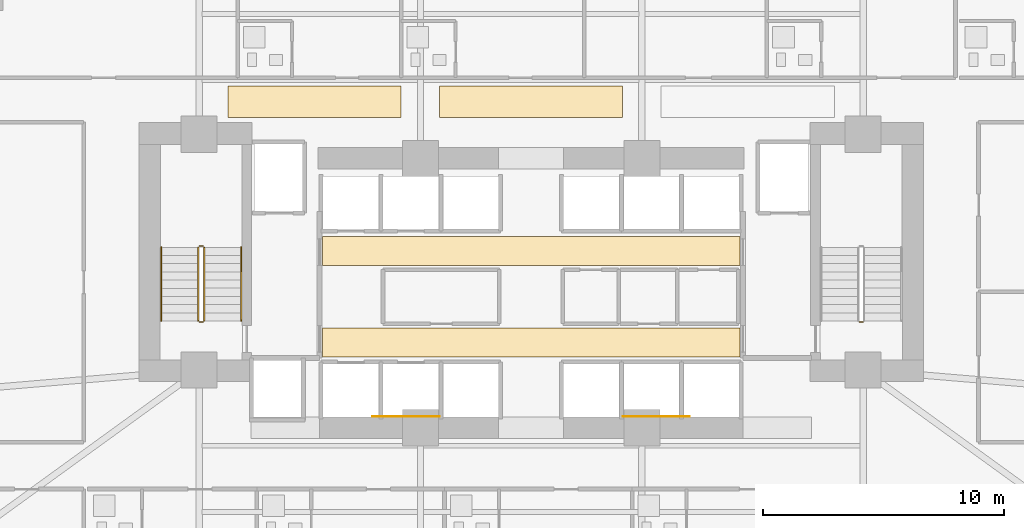
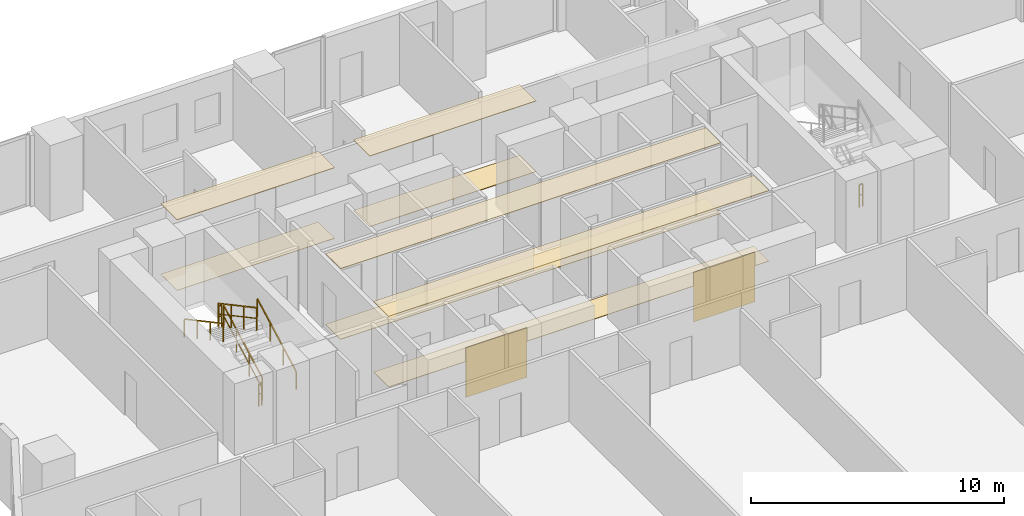
# One storey, part 25 of 28: 10 coverings, 7 railings.
"""IFC4 building model written with IfcOpenShell, lengths in metres."""

from ifc_helpers import new_model, si_unit, direction, frame, origin, origin_2d, place, context, subcontext, project, spatial, polyline, rectangle, outline, extrude, material, layer, layer_set, type_object, element, save


model = new_model("IFC4")

# Units and contexts
model_context = context("Model", 3, precision=1e-05, world=origin(), true_north=direction((0.0, 1.0)))
body_context = subcontext(model_context, "Body", "Model", "MODEL_VIEW")
ifc_project = project(units=[si_unit("LENGTHUNIT", "METRE"), si_unit("AREAUNIT", "SQUARE_METRE"), si_unit("VOLUMEUNIT", "CUBIC_METRE"), si_unit("PLANEANGLEUNIT", "RADIAN"), si_unit("MASSUNIT", "GRAM", prefix="KILO")], contexts=[model_context])

# Site, building, storey
site_placement = place(None, origin())
site = spatial("IfcSite", under=ifc_project, at=site_placement, CompositionType="ELEMENT")
building_placement = place(site_placement, origin())
building = spatial("IfcBuilding", under=site, at=building_placement, Name="Zuhayl Quay Hotel", CompositionType="ELEMENT")
storey_placement = place(building_placement, frame((0.0, 0.0, 53.14990234375)))
storey = spatial("IfcBuildingStorey", under=building, at=storey_placement, Name="L12", CompositionType="ELEMENT", Elevation=53.14990234375)

# Coverings
ifc_material_1 = material(Name="Acoustic Mineral-Fibre Gypsum Board")
ifc_layer_1 = layer(ifc_material_1, 0.02490234375, Name="Acoustic Mineral-Fibre Gypsum Board")
ifc_layer_set_1 = layer_set([ifc_layer_1], Name="Acoustic Mineral-Fibre Gypsum Board")
covering_type_1 = type_object("IfcCoveringType", Name="CV_CEIL_ACOUSTIC", PredefinedType="CEILING", material=ifc_layer_set_1)
covering_1_placement = place(storey_placement, frame((0.0, 0.0, 3.405029296875)))
element("IfcCovering", 1, at=covering_1_placement, inside=storey, type_object=covering_type_1, Name="L12 Suspended Acoustic Lobby Ceiling S", PredefinedType="CEILING", context=body_context, shape_type="SweptSolid", body=[
    extrude(outline(polyline([(-8.679931640625, 5.10009765625), (8.679931640625, 5.10009765625), (8.679931640625, 6.300048828125), (-8.679931640625, 6.300048828125), (-8.679931640625, 5.10009765625)])), origin(), (0.0, 0.0, 1.0), 0.025146484375),
])
covering_2_placement = place(storey_placement, frame((0.0, 0.0, 3.405029296875)))
element("IfcCovering", 2, at=covering_2_placement, inside=storey, type_object=covering_type_1, Name="L12 Suspended Acoustic Lobby Ceiling N", PredefinedType="CEILING", context=body_context, shape_type="SweptSolid", body=[
    extrude(outline(polyline([(-8.679931640625, 8.89990234375), (8.679931640625, 8.89990234375), (8.679931640625, 10.10009765625), (-8.679931640625, 10.10009765625), (-8.679931640625, 8.89990234375)])), origin(), (0.0, 0.0, 1.0), 0.025146484375),
])
covering_3_placement = place(storey_placement, frame((0.0, 0.0, 3.405029296875)))
element("IfcCovering", 3, at=covering_3_placement, inside=storey, type_object=covering_type_1, Name="L12 Guest Corridor Acoustic Ceiling CW", PredefinedType="CEILING", context=body_context, shape_type="SweptSolid", body=[
    extrude(outline(polyline([(-12.60009765625, 15.050048828125), (-5.39990234375, 15.050048828125), (-5.39990234375, 16.35009765625), (-12.60009765625, 16.35009765625), (-12.60009765625, 15.050048828125)])), origin(), (0.0, 0.0, 1.0), 0.025146484375),
])
covering_4_placement = place(storey_placement, frame((0.0, 0.0, 3.405029296875)))
element("IfcCovering", 4, at=covering_4_placement, inside=storey, type_object=covering_type_1, Name="L12 Guest Corridor Acoustic Ceiling CC", PredefinedType="CEILING", context=body_context, shape_type="SweptSolid", body=[
    extrude(outline(polyline([(-3.800048828125, 15.050048828125), (3.800048828125, 15.050048828125), (3.800048828125, 16.35009765625), (-3.800048828125, 16.35009765625), (-3.800048828125, 15.050048828125)])), origin(), (0.0, 0.0, 1.0), 0.025146484375),
])
ifc_material_2 = material(Name="Polished Limestone Terrazzo", Category="masonry")
ifc_layer_2 = layer(ifc_material_2, 0.02001953125, Name="Polished Limestone Terrazzo", Category="masonry")
ifc_layer_set_2 = layer_set([ifc_layer_2], Name="Polished Limestone Terrazzo")
covering_type_2 = type_object("IfcCoveringType", Name="CV_FLOOR_TERRAZZO", PredefinedType="FLOORING", material=ifc_layer_set_2)
covering_5_placement = place(storey_placement, origin())
element("IfcCovering", 5, at=covering_5_placement, inside=storey, type_object=covering_type_2, Name="L12 Honed Limestone Terrazzo Lobby Flooring S", PredefinedType="FLOORING", context=body_context, shape_type="SweptSolid", body=[
    extrude(outline(polyline([(-8.679931640625, 5.10009765625), (8.679931640625, 5.10009765625), (8.679931640625, 6.300048828125), (-8.679931640625, 6.300048828125), (-8.679931640625, 5.10009765625)])), origin(), (0.0, 0.0, 1.0), 0.02001953125),
])
covering_6_placement = place(storey_placement, origin())
element("IfcCovering", 6, at=covering_6_placement, inside=storey, type_object=covering_type_2, Name="L12 Honed Limestone Terrazzo Lobby Flooring N", PredefinedType="FLOORING", context=body_context, shape_type="SweptSolid", body=[
    extrude(outline(polyline([(-8.679931640625, 8.89990234375), (8.679931640625, 8.89990234375), (8.679931640625, 10.10009765625), (-8.679931640625, 10.10009765625), (-8.679931640625, 8.89990234375)])), origin(), (0.0, 0.0, 1.0), 0.02001953125),
])
covering_7_placement = place(storey_placement, origin())
element("IfcCovering", 7, at=covering_7_placement, inside=storey, type_object=covering_type_2, Name="L12 Guest Corridor Terrazzo Runner CW", PredefinedType="FLOORING", context=body_context, shape_type="SweptSolid", body=[
    extrude(outline(polyline([(-12.60009765625, 15.050048828125), (-5.39990234375, 15.050048828125), (-5.39990234375, 16.35009765625), (-12.60009765625, 16.35009765625), (-12.60009765625, 15.050048828125)])), origin(), (0.0, 0.0, 1.0), 0.02001953125),
])
covering_8_placement = place(storey_placement, origin())
element("IfcCovering", 8, at=covering_8_placement, inside=storey, type_object=covering_type_2, Name="L12 Guest Corridor Terrazzo Runner CC", PredefinedType="FLOORING", context=body_context, shape_type="SweptSolid", body=[
    extrude(outline(polyline([(-3.800048828125, 15.050048828125), (3.800048828125, 15.050048828125), (3.800048828125, 16.35009765625), (-3.800048828125, 16.35009765625), (-3.800048828125, 15.050048828125)])), origin(), (0.0, 0.0, 1.0), 0.02001953125),
])
ifc_material_3 = material(Name="Acoustic Walnut Feature Timber", Category="wood")
ifc_layer_3 = layer(ifc_material_3, 0.02197265625, Name="Acoustic Walnut Feature Timber", Category="wood")
ifc_layer_set_3 = layer_set([ifc_layer_3], Name="Acoustic Walnut Feature Timber")
covering_type_3 = type_object("IfcCoveringType", Name="CV_WALL_CLAD", PredefinedType="CLADDING", material=ifc_layer_set_3)
for number, where, z_axis, x_axis, name in (
    (9, (-5.199951171875, 2.611083984375, 0.300048828125), (0.0, 0.0, 1.0), (1.0, 0.0, 0.0), "L12 Feature Lobby Walnut Wall Cladding W"),
    (10, (5.199951171875, 2.611083984375, 0.300048828125), (0.0, 0.0, 1.0), (1.0, 0.0, 0.0), "L12 Feature Lobby Walnut Wall Cladding E"),
):
    element("IfcCovering", number, at=place(storey_placement, frame(where, z_axis=z_axis, x_axis=x_axis)), inside=storey, type_object=covering_type_3, Name=name, PredefinedType="CLADDING", context=body_context, shape_type="SweptSolid", body=[
        extrude(rectangle(XDim=2.800048828125, YDim=0.02197265625, at=origin_2d()), origin(), (0.0, 0.0, 1.0), 2.39990234375),
    ])

# Railings
ifc_material_4 = material(Name="Steel ASTM A992 Grade 50", Category="steel")
railing_type_1 = type_object("IfcRailingType", Name="RL_GUARD_1100", PredefinedType="GUARDRAIL", material=ifc_material_4)
railing_1_placement = place(storey_placement, frame((-13.590087890625, 6.590087890625, 0.1826171875)))
element("IfcRailing", 11, at=railing_1_placement, inside=storey, type_object=railing_type_1, Name="L12 ST1 stair guard 1", PredefinedType="GUARDRAIL", context=body_context, shape_type="SweptSolid", body=[
    extrude(rectangle(XDim=0.048095703125, YDim=0.048095703125, at=origin_2d()), frame((0.0, 0.0, 1.09619140625), z_axis=(0.0, 0.88107310026, 0.472980117973), x_axis=(-1.0, 0.0, 0.0)), (0.0, 0.0, 1.0), 3.472900390625),
    extrude(rectangle(XDim=0.0361328125, YDim=0.0361328125, at=origin_2d()), frame((0.0, 0.0, 0.58251953125), z_axis=(0.0, 0.88107310026, 0.472980117973), x_axis=(-1.0, 0.0, 0.0)), (0.0, 0.0, 1.0), 3.472900390625),
    extrude(rectangle(XDim=0.0419921875, YDim=0.0419921875, at=origin_2d()), origin(), (0.0, 0.0, 1.0), 1.072021484375),
    extrude(rectangle(XDim=0.0419921875, YDim=0.0419921875, at=origin_2d()), frame((0.0, 1.02001953125, 0.547607421875)), (0.0, 0.0, 1.0), 1.072021484375),
    extrude(rectangle(XDim=0.0419921875, YDim=0.0419921875, at=origin_2d()), frame((0.0, 2.039794921875, 1.094970703125)), (0.0, 0.0, 1.0), 1.072021484375),
    extrude(rectangle(XDim=0.0419921875, YDim=0.0419921875, at=origin_2d()), frame((0.0, 3.059814453125, 1.642578125)), (0.0, 0.0, 1.0), 1.072021484375),
])
railing_2_placement = place(storey_placement, frame((-13.639892578125, 9.699951171875, 1.8251953125)))
element("IfcRailing", 12, at=railing_2_placement, inside=storey, type_object=railing_type_1, Name="L12 ST1 stair guard 2", PredefinedType="GUARDRAIL", context=body_context, shape_type="SweptSolid", body=[
    extrude(rectangle(XDim=0.048095703125, YDim=0.048095703125, at=origin_2d()), frame((0.0, 0.0, 1.09619140625), z_axis=(-1.0, 0.0, 0.0), x_axis=(0.0, -1.0, 0.0)), (0.0, 0.0, 1.0), 0.150146484375),
    extrude(rectangle(XDim=0.0361328125, YDim=0.0361328125, at=origin_2d()), frame((0.0, 0.0, 0.58251953125), z_axis=(-1.0, 0.0, 0.0), x_axis=(0.0, -1.0, 0.0)), (0.0, 0.0, 1.0), 0.150146484375),
    extrude(rectangle(XDim=0.0419921875, YDim=0.0419921875, at=origin_2d()), origin(), (0.0, 0.0, 1.0), 1.072021484375),
    extrude(rectangle(XDim=0.0419921875, YDim=0.0419921875, at=origin_2d()), frame((-0.150146484375, 0.0, 0.0)), (0.0, 0.0, 1.0), 1.072021484375),
])
railing_3_placement = place(storey_placement, frame((-13.840087890625, 9.64990234375, 2.007568359375)))
element("IfcRailing", 13, at=railing_3_placement, inside=storey, type_object=railing_type_1, Name="L12 ST1 stair guard 3", PredefinedType="GUARDRAIL", context=body_context, shape_type="SweptSolid", body=[
    extrude(rectangle(XDim=0.048095703125, YDim=0.048095703125, at=origin_2d()), frame((0.0, 0.0, 1.09619140625), z_axis=(0.0, -0.88107310026, 0.472980117973), x_axis=(1.0, 0.0, 0.0)), (0.0, 0.0, 1.0), 3.472900390625),
    extrude(rectangle(XDim=0.0361328125, YDim=0.0361328125, at=origin_2d()), frame((0.0, 0.0, 0.58251953125), z_axis=(0.0, -0.88107310026, 0.472980117973), x_axis=(1.0, 0.0, 0.0)), (0.0, 0.0, 1.0), 3.472900390625),
    extrude(rectangle(XDim=0.0419921875, YDim=0.0419921875, at=origin_2d()), origin(), (0.0, 0.0, 1.0), 1.072021484375),
    extrude(rectangle(XDim=0.0419921875, YDim=0.0419921875, at=origin_2d()), frame((0.0, -1.02001953125, 0.547607421875)), (0.0, 0.0, 1.0), 1.072021484375),
    extrude(rectangle(XDim=0.0419921875, YDim=0.0419921875, at=origin_2d()), frame((0.0, -2.039794921875, 1.094970703125)), (0.0, 0.0, 1.0), 1.072021484375),
    extrude(rectangle(XDim=0.0419921875, YDim=0.0419921875, at=origin_2d()), frame((0.0, -3.059814453125, 1.642578125)), (0.0, 0.0, 1.0), 1.072021484375),
])
for number, where, name in (
    (14, (-13.639892578125, 6.5400390625, 0.0), "L12 ST1 stair guard 4"),
    (15, (13.7900390625, 6.5400390625, 0.0), "L12 ST2 stair guard 4"),
):
    element("IfcRailing", number, at=place(storey_placement, frame(where)), inside=storey, type_object=railing_type_1, Name=name, PredefinedType="GUARDRAIL", context=body_context, shape_type="SweptSolid", body=[
        extrude(rectangle(XDim=0.048095703125, YDim=0.048095703125, at=origin_2d()), frame((0.0, 0.0, 1.09619140625), z_axis=(-1.0, 0.0, 0.0), x_axis=(0.0, -1.0, 0.0)), (0.0, 0.0, 1.0), 0.150146484375),
        extrude(rectangle(XDim=0.0361328125, YDim=0.0361328125, at=origin_2d()), frame((0.0, 0.0, 0.58251953125), z_axis=(-1.0, 0.0, 0.0), x_axis=(0.0, -1.0, 0.0)), (0.0, 0.0, 1.0), 0.150146484375),
        extrude(rectangle(XDim=0.0419921875, YDim=0.0419921875, at=origin_2d()), origin(), (0.0, 0.0, 1.0), 1.072021484375),
        extrude(rectangle(XDim=0.0419921875, YDim=0.0419921875, at=origin_2d()), frame((-0.150146484375, 0.0, 0.0)), (0.0, 0.0, 1.0), 1.072021484375),
    ])
railing_type_2 = type_object("IfcRailingType", Name="RL_HANDRAIL_920", PredefinedType="HANDRAIL", material=ifc_material_4)
railing_4_placement = place(storey_placement, frame((-12.050048828125, 6.590087890625, 0.1826171875)))
element("IfcRailing", 16, at=railing_4_placement, inside=storey, type_object=railing_type_2, Name="L12 ST1 stair handrail 1", PredefinedType="HANDRAIL", context=body_context, shape_type="SweptSolid", body=[
    extrude(rectangle(XDim=0.048095703125, YDim=0.048095703125, at=origin_2d()), frame((0.0, 0.0, 0.8759765625), z_axis=(0.0, 0.88107310026, 0.472980117973), x_axis=(-1.0, 0.0, 0.0)), (0.0, 0.0, 1.0), 3.472900390625),
    extrude(rectangle(XDim=0.0419921875, YDim=0.0419921875, at=origin_2d()), origin(), (0.0, 0.0, 1.0), 0.851806640625),
    extrude(rectangle(XDim=0.0419921875, YDim=0.0419921875, at=origin_2d()), frame((0.0, 1.02001953125, 0.547607421875)), (0.0, 0.0, 1.0), 0.851806640625),
    extrude(rectangle(XDim=0.0419921875, YDim=0.0419921875, at=origin_2d()), frame((0.0, 2.039794921875, 1.094970703125)), (0.0, 0.0, 1.0), 0.851806640625),
    extrude(rectangle(XDim=0.0419921875, YDim=0.0419921875, at=origin_2d()), frame((0.0, 3.059814453125, 1.642578125)), (0.0, 0.0, 1.0), 0.851806640625),
])
railing_5_placement = place(storey_placement, frame((-15.3798828125, 9.64990234375, 2.007568359375)))
element("IfcRailing", 17, at=railing_5_placement, inside=storey, type_object=railing_type_2, Name="L12 ST1 stair handrail 2", PredefinedType="HANDRAIL", context=body_context, shape_type="SweptSolid", body=[
    extrude(rectangle(XDim=0.048095703125, YDim=0.048095703125, at=origin_2d()), frame((0.0, 0.0, 0.8759765625), z_axis=(0.0, -0.88107310026, 0.472980117973), x_axis=(1.0, 0.0, 0.0)), (0.0, 0.0, 1.0), 3.472900390625),
    extrude(rectangle(XDim=0.0419921875, YDim=0.0419921875, at=origin_2d()), origin(), (0.0, 0.0, 1.0), 0.851806640625),
    extrude(rectangle(XDim=0.0419921875, YDim=0.0419921875, at=origin_2d()), frame((0.0, -1.02001953125, 0.547607421875)), (0.0, 0.0, 1.0), 0.851806640625),
    extrude(rectangle(XDim=0.0419921875, YDim=0.0419921875, at=origin_2d()), frame((0.0, -2.039794921875, 1.094970703125)), (0.0, 0.0, 1.0), 0.851806640625),
    extrude(rectangle(XDim=0.0419921875, YDim=0.0419921875, at=origin_2d()), frame((0.0, -3.059814453125, 1.642578125)), (0.0, 0.0, 1.0), 0.851806640625),
])

save(model, "model.ifc")
